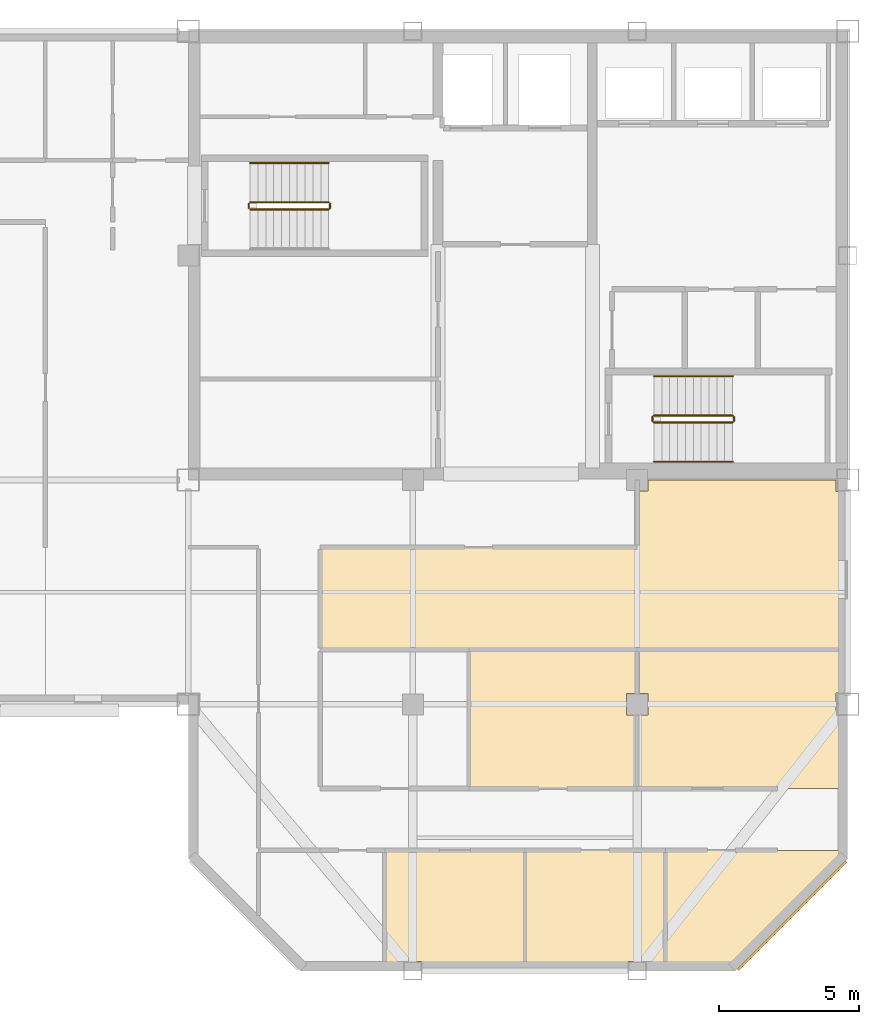
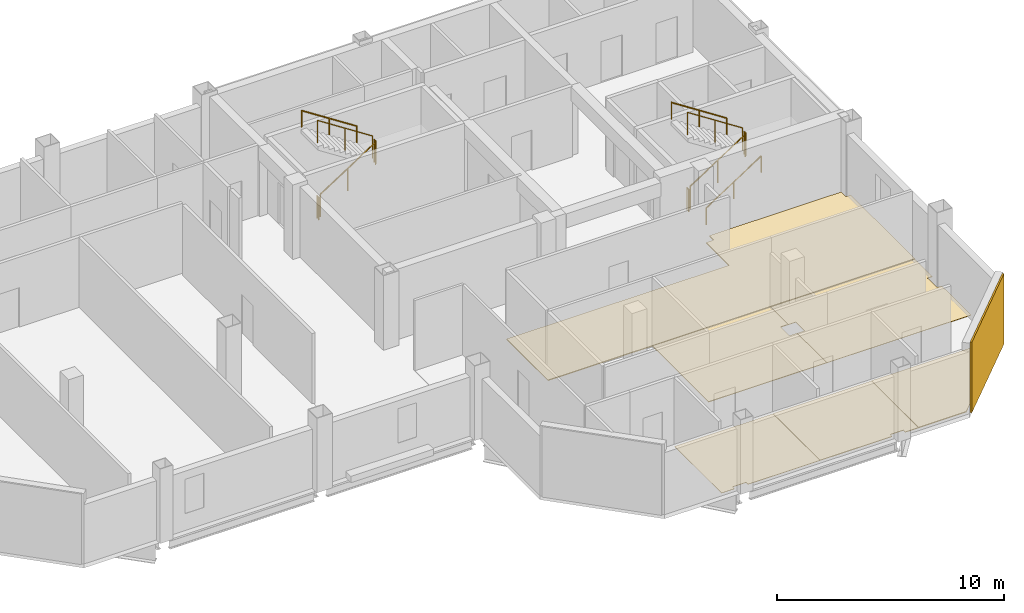
# One storey, part 6 of 7: 11 railings, 7 coverings.
"""IFC4 building model written with IfcOpenShell, lengths in metres."""

from ifc_helpers import new_model, si_unit, direction, frame, origin, origin_2d, place, context, subcontext, project, spatial, polyline, rectangle, circle, outline, extrude, material, layer, layer_set, type_object, element, save


model = new_model("IFC4")

# Units and contexts
model_context = context("Model", 3, precision=1e-05, world=origin(), true_north=direction((0.0, 1.0)))
body_context = subcontext(model_context, "Body", "Model", "MODEL_VIEW")
ifc_project = project(units=[si_unit("LENGTHUNIT", "METRE"), si_unit("AREAUNIT", "SQUARE_METRE"), si_unit("VOLUMEUNIT", "CUBIC_METRE"), si_unit("PLANEANGLEUNIT", "RADIAN"), si_unit("MASSUNIT", "GRAM", prefix="KILO")], contexts=[model_context])

# Site, building, storey
site_placement = place(None, origin())
site = spatial("IfcSite", under=ifc_project, at=site_placement, CompositionType="ELEMENT")
building_placement = place(site_placement, origin())
building = spatial("IfcBuilding", under=site, at=building_placement, Name="Qianrong Seaharbour Tower", CompositionType="ELEMENT")
storey_placement = place(building_placement, frame((0.0, 0.0, 355.199951171875)))
storey = spatial("IfcBuildingStorey", under=building, at=storey_placement, Name="L86", CompositionType="ELEMENT", Elevation=355.199951171875)

# Coverings
ifc_material_1 = material(Name="Unitised red brick cladding on Precast concrete C45/55", Category="masonry")
ifc_layer_1 = layer(ifc_material_1, 0.080078125)
ifc_layer_set_1 = layer_set([ifc_layer_1], Name="Unitised red brick cladding on Precast concrete C45/55")
covering_type_1 = type_object("IfcCoveringType", Name="COV-CLAD-RED-BRICK-80", PredefinedType="CLADDING", material=ifc_layer_set_1)
covering_1_placement = place(storey_placement, frame((62.0283203125, 20.4716796875, 0.0), z_axis=(0.0, 0.0, 1.0), x_axis=(-0.707106781187, -0.707106781187, 0.0)))
element("IfcCovering", 1, at=covering_1_placement, inside=storey, type_object=covering_type_1, Name="L86 Chamfer Corner Brick Cladding 07", PredefinedType="CLADDING", context=body_context, shape_type="SweptSolid", body=[
    extrude(rectangle(XDim=5.456787109375, YDim=0.080078125, at=origin_2d()), origin(), (0.0, 0.0, 1.0), 3.784912109375),
])
ifc_material_2 = material(Name="Acoustic modular carpet tile flooring")
ifc_layer_2 = layer(ifc_material_2, 0.02001953125)
ifc_layer_set_2 = layer_set([ifc_layer_2], Name="Acoustic modular carpet tile flooring")
covering_type_2 = type_object("IfcCoveringType", Name="COV-FLOOR-CARPET-20", PredefinedType="FLOORING", material=ifc_layer_set_2)
covering_2_placement = place(storey_placement, origin())
element("IfcCovering", 2, at=covering_2_placement, inside=storey, type_object=covering_type_2, Name="L86 Trade Meeting Room 3 Finish Flooring", PredefinedType="FLOORING", context=body_context, shape_type="SweptSolid", body=[
    extrude(outline(polyline([(63.8349609375, 29.949951171875), (63.8349609375, 28.409912109375), (63.590087890625, 28.409912109375), (63.590087890625, 27.590087890625), (63.8349609375, 27.590087890625), (63.8349609375, 25.0), (56.5, 25.0), (56.5, 27.614990234375), (56.885009765625, 27.614990234375), (56.885009765625, 28.385009765625), (56.5, 28.385009765625), (56.5, 29.949951171875), (63.8349609375, 29.949951171875)])), origin(), (0.0, 0.0, 1.0), 0.02001953125),
])
covering_3_placement = place(storey_placement, origin())
element("IfcCovering", 3, at=covering_3_placement, inside=storey, type_object=covering_type_2, Name="L86 Contract Signing Room 2 Finish Flooring", PredefinedType="FLOORING", context=body_context, shape_type="SweptSolid", body=[
    extrude(outline(polyline([(52.5, 18.6650390625), (48.8349609375, 18.6650390625), (48.8349609375, 18.8349609375), (48.1650390625, 18.8349609375), (48.1650390625, 18.6650390625), (47.5, 18.6650390625), (47.5, 22.800048828125), (52.5, 22.800048828125), (52.5, 18.6650390625)])), origin(), (0.0, 0.0, 1.0), 0.02001953125),
])
ifc_material_3 = material(Name="Honed granite stone flooring", Category="masonry")
ifc_layer_3 = layer(ifc_material_3, 0.030029296875)
ifc_layer_set_3 = layer_set([ifc_layer_3], Name="Honed granite stone flooring")
covering_type_3 = type_object("IfcCoveringType", Name="COV-FLOOR-GRANITE-30", PredefinedType="FLOORING", material=ifc_layer_set_3)
covering_4_placement = place(storey_placement, origin())
element("IfcCovering", 4, at=covering_4_placement, inside=storey, type_object=covering_type_3, Name="L86 Port Equipment Showroom 2 Finish Flooring", PredefinedType="FLOORING", context=body_context, shape_type="SweptSolid", body=[
    extrude(outline(polyline([(56.5, 29.949951171875), (56.5, 28.385009765625), (56.114990234375, 28.385009765625), (56.114990234375, 27.614990234375), (56.5, 27.614990234375), (56.5, 25.0), (50.5, 25.0), (50.5, 29.949951171875), (56.5, 29.949951171875)])), origin(), (0.0, 0.0, 1.0), 0.030029296875),
])
covering_5_placement = place(storey_placement, origin())
element("IfcCovering", 5, at=covering_5_placement, inside=storey, type_object=covering_type_3, Name="L86 Marine Showcase Showroom 3 Finish Flooring", PredefinedType="FLOORING", context=body_context, shape_type="SweptSolid", body=[
    extrude(outline(polyline([(57.5, 18.6650390625), (56.8349609375, 18.6650390625), (56.8349609375, 18.8349609375), (56.1650390625, 18.8349609375), (56.1650390625, 18.6650390625), (52.5, 18.6650390625), (52.5, 22.800048828125), (57.5, 22.800048828125), (57.5, 18.6650390625)])), origin(), (0.0, 0.0, 1.0), 0.030029296875),
])
ifc_material_4 = material(Name="Calcium-sulphate raised access floor tile")
ifc_layer_4 = layer(ifc_material_4, 0.044921875)
ifc_layer_set_4 = layer_set([ifc_layer_4], Name="Calcium-sulphate raised access floor tile")
covering_type_4 = type_object("IfcCoveringType", Name="COV-FLOOR-RAISED-45", PredefinedType="FLOORING", material=ifc_layer_set_4)
covering_6_placement = place(storey_placement, origin())
element("IfcCovering", 6, at=covering_6_placement, inside=storey, type_object=covering_type_4, Name="L86 Commercial Desk Open-Plan Office Finish Flooring", PredefinedType="FLOORING", context=body_context, shape_type="SweptSolid", body=[
    extrude(outline(polyline([(56.5, 33.60009765625), (56.5, 35.614990234375), (56.885009765625, 35.614990234375), (56.885009765625, 36.0), (63.590087890625, 36.0), (63.590087890625, 35.590087890625), (63.8349609375, 35.590087890625), (63.8349609375, 29.949951171875), (45.199951171875, 29.949951171875), (45.199951171875, 33.60009765625), (56.5, 33.60009765625)])), origin(), (0.0, 0.0, 1.0), 0.045166015625),
])
covering_7_placement = place(storey_placement, origin())
element("IfcCovering", 7, at=covering_7_placement, inside=storey, type_object=covering_type_4, Name="L86 Brokerage Office 4 Finish Flooring", PredefinedType="FLOORING", context=body_context, shape_type="SweptSolid", body=[
    extrude(outline(polyline([(63.8349609375, 22.568359375), (59.931640625, 18.6650390625), (57.5, 18.6650390625), (57.5, 22.800048828125), (63.8349609375, 22.800048828125), (63.8349609375, 22.568359375)])), origin(), (0.0, 0.0, 1.0), 0.045166015625),
])

# Railings
ifc_material_5 = material(Name="Galvanized painted steel SN400B stair guard", Category="steel")
railing_type_1 = type_object("IfcRailingType", Name="RAIL-STAIR-GUARD-1220", PredefinedType="GUARDRAIL", material=ifc_material_5)
railing_1_placement = place(storey_placement, frame((42.699951171875, 45.64990234375, 0.181884765625)))
element("IfcRailing", 8, at=railing_1_placement, inside=storey, type_object=railing_type_1, Name="L86 ST-1 stair guard 1", PredefinedType="GUARDRAIL", context=body_context, shape_type="SweptSolid", body=[
    extrude(circle(Radius=0.02392578125, at=origin_2d()), frame((0.0, 0.0, 1.19580078125), z_axis=(0.838705829183, 0.0, 0.544584733623), x_axis=(0.0, 1.0, 0.0)), (0.0, 0.0, 1.0), 3.338623046875),
    extrude(circle(Radius=0.02099609375, at=origin_2d()), origin(), (0.0, 0.0, 1.0), 1.171875),
    extrude(circle(Radius=0.02099609375, at=origin_2d()), frame((1.39990234375, 0.0, 0.9091796875)), (0.0, 0.0, 1.0), 1.171875),
    extrude(circle(Radius=0.02099609375, at=origin_2d()), frame((2.800048828125, 0.0, 1.818115234375)), (0.0, 0.0, 1.0), 1.171875),
])
railing_2_placement = place(storey_placement, frame((45.550048828125, 45.699951171875, 2.0)))
element("IfcRailing", 9, at=railing_2_placement, inside=storey, type_object=railing_type_1, Name="L86 ST-1 stair guard 2", PredefinedType="GUARDRAIL", context=body_context, shape_type="SweptSolid", body=[
    extrude(circle(Radius=0.02392578125, at=origin_2d()), frame((0.0, 0.0, 1.19580078125), z_axis=(0.0, 1.0, 0.0), x_axis=(-1.0, 0.0, 0.0)), (0.0, 0.0, 1.0), 0.150146484375),
    extrude(circle(Radius=0.02099609375, at=origin_2d()), origin(), (0.0, 0.0, 1.0), 1.171875),
    extrude(circle(Radius=0.02099609375, at=origin_2d()), frame((0.0, 0.150146484375, 0.0)), (0.0, 0.0, 1.0), 1.171875),
])
railing_3_placement = place(storey_placement, frame((45.5, 45.89990234375, 2.181884765625)))
element("IfcRailing", 10, at=railing_3_placement, inside=storey, type_object=railing_type_1, Name="L86 ST-1 stair guard 3", PredefinedType="GUARDRAIL", context=body_context, shape_type="SweptSolid", body=[
    extrude(circle(Radius=0.02392578125, at=origin_2d()), frame((0.0, 0.0, 1.19580078125), z_axis=(-0.838705829183, 0.0, 0.544584733623), x_axis=(0.0, -1.0, 0.0)), (0.0, 0.0, 1.0), 3.338623046875),
    extrude(circle(Radius=0.02099609375, at=origin_2d()), origin(), (0.0, 0.0, 1.0), 1.171875),
    extrude(circle(Radius=0.02099609375, at=origin_2d()), frame((-1.39990234375, 0.0, 0.9091796875)), (0.0, 0.0, 1.0), 1.171875),
    extrude(circle(Radius=0.02099609375, at=origin_2d()), frame((-2.800048828125, 0.0, 1.818115234375)), (0.0, 0.0, 1.0), 1.171875),
])
railing_4_placement = place(storey_placement, frame((42.64990234375, 45.699951171875, 0.0)))
element("IfcRailing", 11, at=railing_4_placement, inside=storey, type_object=railing_type_1, Name="L86 ST-1 stair guard 4", PredefinedType="GUARDRAIL", context=body_context, shape_type="SweptSolid", body=[
    extrude(circle(Radius=0.02392578125, at=origin_2d()), frame((0.0, 0.0, 1.19580078125), z_axis=(0.0, 1.0, 0.0), x_axis=(-1.0, 0.0, 0.0)), (0.0, 0.0, 1.0), 0.150146484375),
    extrude(circle(Radius=0.02099609375, at=origin_2d()), origin(), (0.0, 0.0, 1.0), 1.171875),
    extrude(circle(Radius=0.02099609375, at=origin_2d()), frame((0.0, 0.150146484375, 0.0)), (0.0, 0.0, 1.0), 1.171875),
])
railing_5_placement = place(storey_placement, frame((57.10009765625, 38.050048828125, 0.181884765625)))
element("IfcRailing", 12, at=railing_5_placement, inside=storey, type_object=railing_type_1, Name="L86 ST-2 stair guard 1", PredefinedType="GUARDRAIL", context=body_context, shape_type="SweptSolid", body=[
    extrude(circle(Radius=0.02392578125, at=origin_2d()), frame((0.0, 0.0, 1.19580078125), z_axis=(0.83868413941, 0.0, 0.544618136222), x_axis=(0.0, 1.0, 0.0)), (0.0, 0.0, 1.0), 3.33837890625),
    extrude(circle(Radius=0.02099609375, at=origin_2d()), origin(), (0.0, 0.0, 1.0), 1.171875),
    extrude(circle(Radius=0.02099609375, at=origin_2d()), frame((1.39990234375, 0.0, 0.9091796875)), (0.0, 0.0, 1.0), 1.171875),
    extrude(circle(Radius=0.02099609375, at=origin_2d()), frame((2.7998046875, 0.0, 1.818115234375)), (0.0, 0.0, 1.0), 1.171875),
])
railing_6_placement = place(storey_placement, frame((59.949951171875, 38.10009765625, 2.0)))
element("IfcRailing", 13, at=railing_6_placement, inside=storey, type_object=railing_type_1, Name="L86 ST-2 stair guard 2", PredefinedType="GUARDRAIL", context=body_context, shape_type="SweptSolid", body=[
    extrude(circle(Radius=0.02392578125, at=origin_2d()), frame((0.0, 0.0, 1.19580078125), z_axis=(0.0, 1.0, 0.0), x_axis=(-1.0, 0.0, 0.0)), (0.0, 0.0, 1.0), 0.14990234375),
    extrude(circle(Radius=0.02099609375, at=origin_2d()), origin(), (0.0, 0.0, 1.0), 1.171875),
    extrude(circle(Radius=0.02099609375, at=origin_2d()), frame((0.0, 0.14990234375, 0.0)), (0.0, 0.0, 1.0), 1.171875),
])
railing_7_placement = place(storey_placement, frame((59.89990234375, 38.300048828125, 2.181884765625)))
element("IfcRailing", 14, at=railing_7_placement, inside=storey, type_object=railing_type_1, Name="L86 ST-2 stair guard 3", PredefinedType="GUARDRAIL", context=body_context, shape_type="SweptSolid", body=[
    extrude(circle(Radius=0.02392578125, at=origin_2d()), frame((0.0, 0.0, 1.19580078125), z_axis=(-0.83868413941, 0.0, 0.544618136222), x_axis=(0.0, -1.0, 0.0)), (0.0, 0.0, 1.0), 3.33837890625),
    extrude(circle(Radius=0.02099609375, at=origin_2d()), origin(), (0.0, 0.0, 1.0), 1.171875),
    extrude(circle(Radius=0.02099609375, at=origin_2d()), frame((-1.39990234375, 0.0, 0.9091796875)), (0.0, 0.0, 1.0), 1.171875),
    extrude(circle(Radius=0.02099609375, at=origin_2d()), frame((-2.7998046875, 0.0, 1.818115234375)), (0.0, 0.0, 1.0), 1.171875),
])
railing_8_placement = place(storey_placement, frame((57.050048828125, 38.10009765625, 0.0)))
element("IfcRailing", 15, at=railing_8_placement, inside=storey, type_object=railing_type_1, Name="L86 ST-2 stair guard 4", PredefinedType="GUARDRAIL", context=body_context, shape_type="SweptSolid", body=[
    extrude(circle(Radius=0.02392578125, at=origin_2d()), frame((0.0, 0.0, 1.19580078125), z_axis=(0.0, 1.0, 0.0), x_axis=(-1.0, 0.0, 0.0)), (0.0, 0.0, 1.0), 0.14990234375),
    extrude(circle(Radius=0.02099609375, at=origin_2d()), origin(), (0.0, 0.0, 1.0), 1.171875),
    extrude(circle(Radius=0.02099609375, at=origin_2d()), frame((0.0, 0.14990234375, 0.0)), (0.0, 0.0, 1.0), 1.171875),
])
ifc_material_6 = material(Name="Stainless steel SUS316L continuous handrail", Category="steel")
railing_type_2 = type_object("IfcRailingType", Name="RAIL-STAIR-HANDRAIL-900", PredefinedType="HANDRAIL", material=ifc_material_6)
railing_9_placement = place(storey_placement, frame((45.5, 47.300048828125, 2.181884765625)))
element("IfcRailing", 16, at=railing_9_placement, inside=storey, type_object=railing_type_2, Name="L86 ST-1 stair handrail 2", PredefinedType="HANDRAIL", context=body_context, shape_type="SweptSolid", body=[
    extrude(circle(Radius=0.02392578125, at=origin_2d()), frame((0.0, 0.0, 0.8759765625), z_axis=(-0.838705829183, 0.0, 0.544584733623), x_axis=(0.0, -1.0, 0.0)), (0.0, 0.0, 1.0), 3.338623046875),
    extrude(circle(Radius=0.02099609375, at=origin_2d()), origin(), (0.0, 0.0, 1.0), 0.851806640625),
    extrude(circle(Radius=0.02099609375, at=origin_2d()), frame((-1.39990234375, 0.0, 0.9091796875)), (0.0, 0.0, 1.0), 0.851806640625),
    extrude(circle(Radius=0.02099609375, at=origin_2d()), frame((-2.800048828125, 0.0, 1.818115234375)), (0.0, 0.0, 1.0), 0.851806640625),
])
railing_10_placement = place(storey_placement, frame((57.10009765625, 36.64990234375, 0.181884765625)))
element("IfcRailing", 17, at=railing_10_placement, inside=storey, type_object=railing_type_2, Name="L86 ST-2 stair handrail 1", PredefinedType="HANDRAIL", context=body_context, shape_type="SweptSolid", body=[
    extrude(circle(Radius=0.02392578125, at=origin_2d()), frame((0.0, 0.0, 0.8759765625), z_axis=(0.83868413941, 0.0, 0.544618136222), x_axis=(0.0, 1.0, 0.0)), (0.0, 0.0, 1.0), 3.33837890625),
    extrude(circle(Radius=0.02099609375, at=origin_2d()), origin(), (0.0, 0.0, 1.0), 0.851806640625),
    extrude(circle(Radius=0.02099609375, at=origin_2d()), frame((1.39990234375, 0.0, 0.9091796875)), (0.0, 0.0, 1.0), 0.851806640625),
    extrude(circle(Radius=0.02099609375, at=origin_2d()), frame((2.7998046875, 0.0, 1.818115234375)), (0.0, 0.0, 1.0), 0.851806640625),
])
railing_11_placement = place(storey_placement, frame((59.89990234375, 39.699951171875, 2.181884765625)))
element("IfcRailing", 18, at=railing_11_placement, inside=storey, type_object=railing_type_2, Name="L86 ST-2 stair handrail 2", PredefinedType="HANDRAIL", context=body_context, shape_type="SweptSolid", body=[
    extrude(circle(Radius=0.02392578125, at=origin_2d()), frame((0.0, 0.0, 0.8759765625), z_axis=(-0.83868413941, 0.0, 0.544618136222), x_axis=(0.0, -1.0, 0.0)), (0.0, 0.0, 1.0), 3.33837890625),
    extrude(circle(Radius=0.02099609375, at=origin_2d()), origin(), (0.0, 0.0, 1.0), 0.851806640625),
    extrude(circle(Radius=0.02099609375, at=origin_2d()), frame((-1.39990234375, 0.0, 0.9091796875)), (0.0, 0.0, 1.0), 0.851806640625),
    extrude(circle(Radius=0.02099609375, at=origin_2d()), frame((-2.7998046875, 0.0, 1.818115234375)), (0.0, 0.0, 1.0), 0.851806640625),
])

save(model, "model.ifc")
